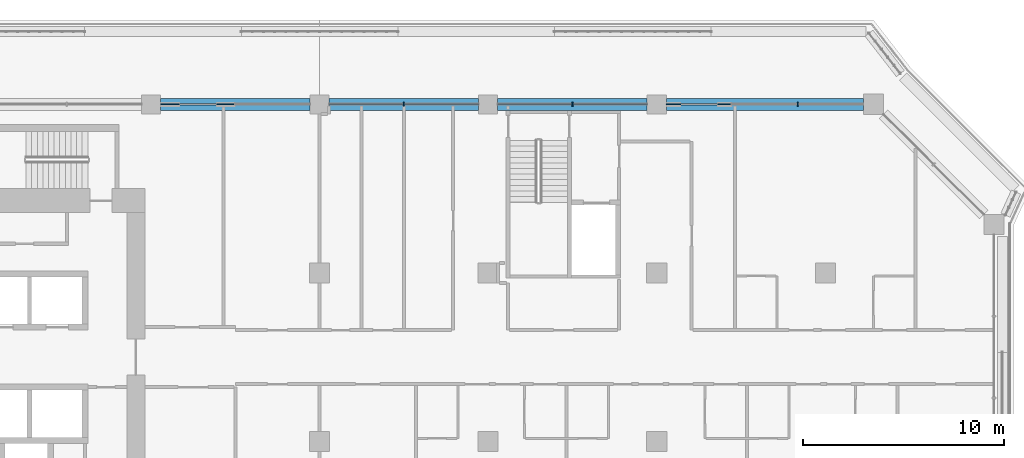
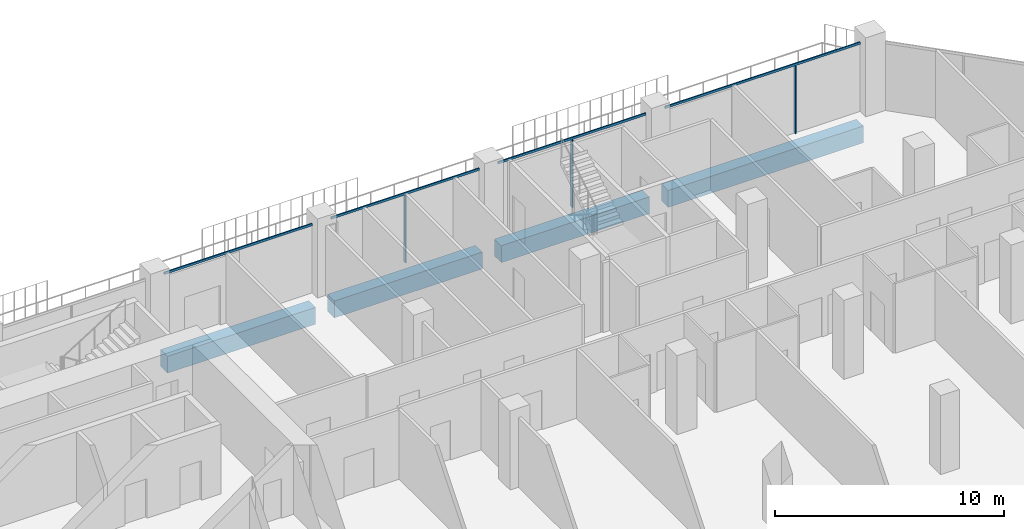
# One storey, part 6 of 22: 7 members, 4 beams, 1 element without a shape of its own.
"""IFC4 building model written with IfcOpenShell, lengths in metres."""

from ifc_helpers import new_model, si_unit, direction, frame, origin, origin_2d, place, context, subcontext, project, spatial, rectangle, extrude, material, layer, layer_set, material_profile, profile_set, type_object, element, aggregate, save


model = new_model("IFC4")

# Units and contexts
model_context = context("Model", 3, precision=1e-05, world=origin(), true_north=direction((0.0, 1.0)))
body_context = subcontext(model_context, "Body", "Model", "MODEL_VIEW")
ifc_project = project(units=[si_unit("LENGTHUNIT", "METRE"), si_unit("AREAUNIT", "SQUARE_METRE"), si_unit("VOLUMEUNIT", "CUBIC_METRE"), si_unit("PLANEANGLEUNIT", "RADIAN"), si_unit("MASSUNIT", "GRAM", prefix="KILO")], contexts=[model_context])

# Site, building, storey
site_placement = place(None, origin())
site = spatial("IfcSite", under=ifc_project, at=site_placement, CompositionType="ELEMENT")
building_placement = place(site_placement, origin())
building = spatial("IfcBuilding", under=site, at=building_placement, Name="Kawkab Arch Medical Tower", CompositionType="ELEMENT")
storey_placement = place(building_placement, frame((0.0, 0.0, 208.800048828125)))
storey = spatial("IfcBuildingStorey", under=building, at=storey_placement, Name="L48", CompositionType="ELEMENT", Elevation=208.800048828125)

# Curtain wall, members
ifc_material_1 = material(Name="Bronze anodised aluminium curtain wall frame", Category="aluminium")
ifc_layer = layer(ifc_material_1, 0.159912109375)
ifc_layer_set = layer_set([ifc_layer], Name="Bronze anodised aluminium curtain wall frame")
curtain_wall_type = type_object("IfcCurtainWallType", Name="CW1 ward curtain wall", PredefinedType="NOTDEFINED", material=ifc_layer_set)
curtain_wall_placement = place(storey_placement, origin())
curtain_wall = element("IfcCurtainWall", 1, at=curtain_wall_placement, inside=storey, type_object=curtain_wall_type, Name="CW1 Ward curtain wall R11", PredefinedType="NOTDEFINED")
ifc_material_2 = material(Name="Bronze anodised aluminium curtain wall frame", Category="aluminium")
ifc_material_profile_1 = material_profile(ifc_material_2, rectangle(XDim=0.179931640625, YDim=0.06005859375, at=origin_2d()), Name="AL 60x180")
ifc_profile_set_1 = profile_set([ifc_material_profile_1], Name="Bronze anodised aluminium curtain wall frame")
member_type_1 = type_object("IfcMemberType", Name="CW1 mullion 60 x 180", PredefinedType="MULLION", material=ifc_profile_set_1)
member_1_placement = place(storey_placement, frame((57.425048828125, 0.0, 0.0), z_axis=(0.0, 0.0, 1.0), x_axis=(0.0, -1.0, 0.0)))
member_1 = element("IfcMember", 2, at=member_1_placement, type_object=member_type_1, Name="CW1 mullion 1.1", PredefinedType="MULLION", context=body_context, shape_type="SweptSolid", body=[
    extrude(rectangle(XDim=0.179931640625, YDim=0.06005859375, at=origin_2d()), origin(), (0.0, 0.0, 1.0), 3.579833984375),
])
member_2_placement = place(storey_placement, frame((46.199951171875, 0.0, 0.0), z_axis=(0.0, 0.0, 1.0), x_axis=(0.0, -1.0, 0.0)))
member_2 = element("IfcMember", 3, at=member_2_placement, type_object=member_type_1, Name="CW1 mullion 2.1", PredefinedType="MULLION", context=body_context, shape_type="SweptSolid", body=[
    extrude(rectangle(XDim=0.179931640625, YDim=0.06005859375, at=origin_2d()), origin(), (0.0, 0.0, 1.0), 3.579833984375),
])
member_3_placement = place(storey_placement, frame((37.800048828125, 0.0, 0.0), z_axis=(0.0, 0.0, 1.0), x_axis=(0.0, -1.0, 0.0)))
member_3 = element("IfcMember", 4, at=member_3_placement, type_object=member_type_1, Name="CW1 mullion 3.1", PredefinedType="MULLION", context=body_context, shape_type="SweptSolid", body=[
    extrude(rectangle(XDim=0.179931640625, YDim=0.06005859375, at=origin_2d()), origin(), (0.0, 0.0, 1.0), 3.579833984375),
])
ifc_material_3 = material(Name="Bronze anodised aluminium curtain wall frame", Category="aluminium")
ifc_material_profile_2 = material_profile(ifc_material_3, rectangle(XDim=0.06005859375, YDim=0.1201171875, at=origin_2d()), Name="AL 60x120")
ifc_profile_set_2 = profile_set([ifc_material_profile_2], Name="Bronze anodised aluminium curtain wall frame")
member_type_2 = type_object("IfcMemberType", Name="CW1 transom 120 x 60", PredefinedType="USERDEFINED", material=ifc_profile_set_2)
member_4_placement = place(storey_placement, frame((60.699951171875, 0.0, 3.639892578125), z_axis=(-1.0, 0.0, 0.0), x_axis=(0.0, -1.0, 0.0)))
member_4 = element("IfcMember", 5, at=member_4_placement, type_object=member_type_2, Name="CW1 transom 1", ObjectType="TRANSOM", PredefinedType="USERDEFINED", context=body_context, shape_type="SweptSolid", body=[
    extrude(rectangle(XDim=0.06005859375, YDim=0.1201171875, at=origin_2d()), origin(), (0.0, 0.0, 1.0), 9.824951171875),
])
member_5_placement = place(storey_placement, frame((49.925048828125, 0.0, 3.639892578125), z_axis=(-1.0, 0.0, 0.0), x_axis=(0.0, -1.0, 0.0)))
member_5 = element("IfcMember", 6, at=member_5_placement, type_object=member_type_2, Name="CW1 transom 2", ObjectType="TRANSOM", PredefinedType="USERDEFINED", context=body_context, shape_type="SweptSolid", body=[
    extrude(rectangle(XDim=0.06005859375, YDim=0.1201171875, at=origin_2d()), origin(), (0.0, 0.0, 1.0), 7.449951171875),
])
member_6_placement = place(storey_placement, frame((41.52490234375, 0.0, 3.639892578125), z_axis=(-1.0, 0.0, 0.0), x_axis=(0.0, -1.0, 0.0)))
member_6 = element("IfcMember", 7, at=member_6_placement, type_object=member_type_2, Name="CW1 transom 3", ObjectType="TRANSOM", PredefinedType="USERDEFINED", context=body_context, shape_type="SweptSolid", body=[
    extrude(rectangle(XDim=0.06005859375, YDim=0.1201171875, at=origin_2d()), origin(), (0.0, 0.0, 1.0), 7.449951171875),
])
member_7_placement = place(storey_placement, frame((33.125, 0.0, 3.639892578125), z_axis=(-1.0, 0.0, 0.0), x_axis=(0.0, -1.0, 0.0)))
member_7 = element("IfcMember", 8, at=member_7_placement, type_object=member_type_2, Name="CW1 transom 4", ObjectType="TRANSOM", PredefinedType="USERDEFINED", context=body_context, shape_type="SweptSolid", body=[
    extrude(rectangle(XDim=0.06005859375, YDim=0.1201171875, at=origin_2d()), origin(), (0.0, 0.0, 1.0), 7.449951171875),
])
aggregate(curtain_wall, [member_4, member_1, member_5, member_2, member_6, member_3, member_7])

# Beams
ifc_material_4 = material(Name="Concrete C50/60", Category="concrete")
ifc_material_profile_3 = material_profile(ifc_material_4, rectangle(XDim=0.60009765625, YDim=0.89990234375, at=origin_2d()), Name="RC 600x900")
ifc_profile_set_3 = profile_set([ifc_material_profile_3], Name="Concrete C50/60")
beam_type = type_object("IfcBeamType", Name="RC 600x900 beam C50/60", PredefinedType="BEAM", material=ifc_profile_set_3)
for number, where, z_axis, x_axis, name in (
    (9, (25.675048828125, 0.0, -1.050048828125), (1.0, 0.0, 0.0), (0.0, 1.0, 0.0), "Overhang edge beam L48-04"),
    (10, (34.074951171875, 0.0, -1.050048828125), (1.0, 0.0, 0.0), (0.0, 1.0, 0.0), "Overhang edge beam L48-05"),
    (11, (42.47509765625, 0.0, -1.050048828125), (1.0, 0.0, 0.0), (0.0, 1.0, 0.0), "Overhang edge beam L48-06"),
):
    element("IfcBeam", number, at=place(storey_placement, frame(where, z_axis=z_axis, x_axis=x_axis)), inside=storey, type_object=beam_type, Name=name, PredefinedType="BEAM", context=body_context, shape_type="SweptSolid", body=[
        extrude(rectangle(XDim=0.60009765625, YDim=0.89990234375, at=origin_2d()), origin(), (0.0, 0.0, 1.0), 7.449951171875),
    ])
beam_placement = place(storey_placement, frame((50.875, 0.0, -1.050048828125), z_axis=(1.0, 0.0, 0.0), x_axis=(0.0, 1.0, 0.0)))
element("IfcBeam", 12, at=beam_placement, inside=storey, type_object=beam_type, Name="Overhang edge beam L48-07", PredefinedType="BEAM", context=body_context, shape_type="SweptSolid", body=[
    extrude(rectangle(XDim=0.60009765625, YDim=0.89990234375, at=origin_2d()), origin(), (0.0, 0.0, 1.0), 9.824951171875),
])

save(model, "model.ifc")
